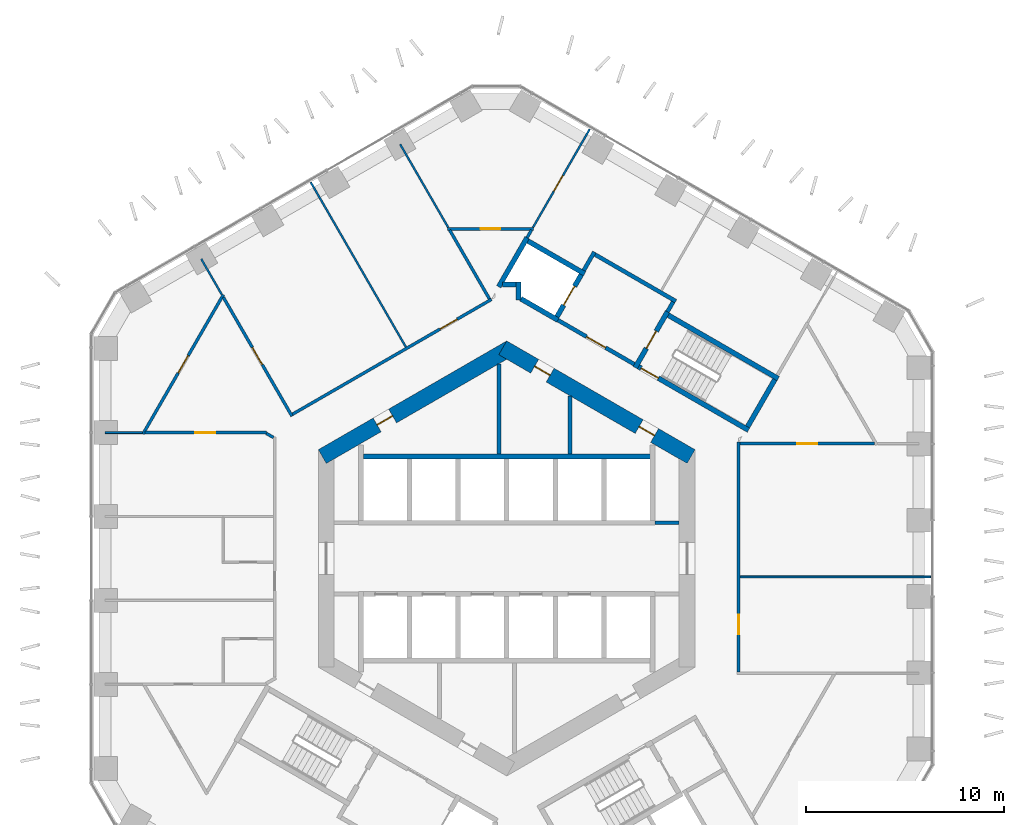
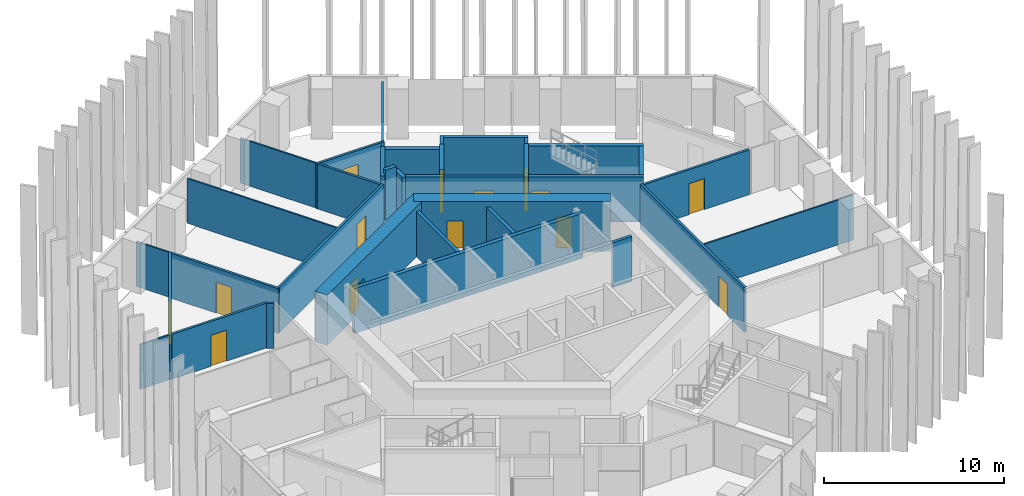
# One storey, part 14 of 19: 36 walls, 15 doors, 15 openings.
"""IFC4 building model written with IfcOpenShell, lengths in metres."""

import ifcopenshell
import ifcopenshell.guid

model = None  # the IFC model being written
_history = None  # IfcOwnerHistory: only IFC2X3 demands one
_inside = {}  # id of a spatial element -> (the spatial element, [elements in it])
_under = {}  # id of a project, library or spatial element -> (it, [spatial elements below it])
_declared = {}  # id of a project -> (the project, [libraries it declares])
_typed = {}  # id of a type object -> (the type object, [elements of that type])
_made_of = {}  # id of a material, layer set ... -> (it, [elements and type objects made of it])


def new_model(schema):
    """Start an empty IFC model of exactly this schema.

    Asked for "IFC4X3", IfcOpenShell would pick the latest addendum, in which some entities
    have other attributes; the version numbers below select the first issue.
    IFC2X3 requires an IfcOwnerHistory on every rooted entity: one is made here for all.
    """
    global model, _history
    if schema == "IFC4X3":
        model = ifcopenshell.file(schema_version=(4, 3, 0, 0))
    else:
        model = ifcopenshell.file(schema=schema)
    _inside.clear()
    _under.clear()
    _declared.clear()
    _typed.clear()
    _made_of.clear()
    _history = None
    if model.schema == "IFC2X3":
        org = make("IfcOrganization", Name="unknown")
        user = make(
            "IfcPersonAndOrganization",
            ThePerson=make("IfcPerson", FamilyName="unknown"),
            TheOrganization=org,
        )
        app = make(
            "IfcApplication",
            ApplicationDeveloper=org,
            Version="unknown",
            ApplicationFullName="unknown",
            ApplicationIdentifier="unknown",
        )
        _history = make(
            "IfcOwnerHistory",
            OwningUser=user,
            OwningApplication=app,
            ChangeAction="ADDED",
            CreationDate=0,
        )
    return model


def make(cls, **values):
    """One entity of the class cls with the attributes given. An attribute that is None is left unset."""
    return model.create_entity(
        cls, **{name: value for name, value in values.items() if value is not None}
    )


def rooted(cls, **values):
    """An entity with a GlobalId (a new one), such as an element, a storey or a relation."""
    return make(cls, GlobalId=ifcopenshell.guid.new(), OwnerHistory=_history, **values)


def si_unit(unit_type, name, prefix=None):
    """IfcSIUnit, for example si_unit("LENGTHUNIT", "METRE", prefix="MILLI")."""
    return make("IfcSIUnit", UnitType=unit_type, Prefix=prefix, Name=name)


def assignment(units):
    """IfcUnitAssignment: the units of a project."""
    return None if units is None else make("IfcUnitAssignment", Units=units)


def point(xyz):
    """IfcCartesianPoint."""
    return None if xyz is None else make("IfcCartesianPoint", Coordinates=xyz)


def direction(xyz):
    """IfcDirection."""
    return None if xyz is None else make("IfcDirection", DirectionRatios=xyz)


def frame(location, z_axis=None, x_axis=None):
    """IfcAxis2Placement3D, a coordinate frame: its origin and axes. An axis left out is left unset."""
    return make(
        "IfcAxis2Placement3D",
        Location=point(location),
        Axis=direction(z_axis),
        RefDirection=direction(x_axis),
    )


def frame_2d(location, x_axis=None):
    """IfcAxis2Placement2D, a coordinate frame in the plane: its origin and x axis."""
    return make(
        "IfcAxis2Placement2D", Location=point(location), RefDirection=direction(x_axis)
    )


def origin():
    """The frame at (0, 0, 0) with its axes left unset."""
    return frame((0.0, 0.0, 0.0))


def place(relative_to, where):
    """IfcLocalPlacement: puts the frame where relative to a parent placement (None: the world)."""
    return make(
        "IfcLocalPlacement", PlacementRelTo=relative_to, RelativePlacement=where
    )


def context(
    kind, dimensions, precision=None, world=None, true_north=None, identifier=None
):
    """IfcGeometricRepresentationContext, for example the 3D "Model" context."""
    return make(
        "IfcGeometricRepresentationContext",
        ContextIdentifier=identifier,
        ContextType=kind,
        CoordinateSpaceDimension=dimensions,
        Precision=precision,
        WorldCoordinateSystem=world,
        TrueNorth=true_north,
    )


def subcontext(parent, identifier, kind, view, scale=None):
    """IfcGeometricRepresentationSubContext, for example "Body" below "Model"."""
    return make(
        "IfcGeometricRepresentationSubContext",
        ContextIdentifier=identifier,
        ContextType=kind,
        ParentContext=parent,
        TargetScale=scale,
        TargetView=view,
    )


def project(units=None, contexts=None):
    """IfcProject with its units and contexts."""
    return rooted(
        "IfcProject",
        Name="project",
        RepresentationContexts=contexts,
        UnitsInContext=assignment(units),
    )


def spatial(cls, under=None, at=None, **own):
    """A site, building, storey or space (cls), placed at a placement, below another one or the project."""
    s = rooted(cls, ObjectPlacement=at, **own)
    if under is not None:
        _under.setdefault(under.id(), (under, []))[1].append(s)
    return s


def profile(cls, at=None, kind="AREA", **sizes):
    """A parametric profile (cls). Its sizes go by their IFC names, for example OverallWidth=200.0."""
    return make(cls, ProfileType=kind, Position=at, **sizes)


def rectangle(**sizes):
    """IfcRectangleProfileDef."""
    return profile("IfcRectangleProfileDef", **sizes)


def extrude(swept, where, along, depth):
    """IfcExtrudedAreaSolid: the profile swept, set in the frame where, extruded along a direction by depth."""
    return make(
        "IfcExtrudedAreaSolid",
        SweptArea=swept,
        Position=where,
        ExtrudedDirection=direction(along),
        Depth=depth,
    )


def shape(context_of_items, identifier, shape_type, items):
    """IfcShapeRepresentation: the items that make up one representation, for example the "Body"."""
    return make(
        "IfcShapeRepresentation",
        ContextOfItems=context_of_items,
        RepresentationIdentifier=identifier,
        RepresentationType=shape_type,
        Items=items,
    )


def material(Name=None, Category=None):
    """IfcMaterial."""
    return make("IfcMaterial", Name=Name, Category=Category)


def layer(
    of_material, thickness, ventilated=None, Name=None, Category=None, Priority=None
):
    """IfcMaterialLayer: one layer of a wall or slab, of a material (None: an air gap)."""
    return make(
        "IfcMaterialLayer",
        Material=of_material,
        LayerThickness=thickness,
        IsVentilated=ventilated,
        Name=Name,
        Category=Category,
        Priority=Priority,
    )


def layer_set(layers, Name=None):
    """IfcMaterialLayerSet."""
    return make("IfcMaterialLayerSet", MaterialLayers=layers, LayerSetName=Name)


def made_of(thing, what):
    """Note that an element or type object is made of a material, layer set ...; save() writes the relation."""
    if what is not None:
        _made_of.setdefault(what.id(), (what, []))[1].append(thing)
    return thing


def type_object(cls, material=None, **own):
    """A type object (cls), such as IfcWallType, which elements share."""
    return made_of(rooted(cls, **own), material)


def element(
    cls,
    number,
    at=None,
    inside=None,
    cuts=None,
    type_object=None,
    material=None,
    context=None,
    identifier="Body",
    shape_type=None,
    held_by="IfcProductDefinitionShape",
    body=None,
    shapes=None,
    **own,
):
    """One element of the class cls, such as IfcWall. Its Tag is "e" and its number.

    at: its placement. inside: the storey or other place that contains it. cuts: it is an
    opening in that element (IfcRelVoidsElement). A single representation is given by context,
    identifier, shape_type and body (its items); several are given by shapes. held_by: the class
    of the entity that holds the representations. save() writes the other relations.
    """
    e = rooted(cls, Tag="e%d" % number, ObjectPlacement=at, **own)
    if body is not None:
        shapes = [shape(context, identifier, shape_type, body)]
    if shapes is not None:
        e.Representation = make(held_by, Representations=shapes)
    if inside is not None:
        _inside.setdefault(inside.id(), (inside, []))[1].append(e)
    if cuts is not None:
        rooted(
            "IfcRelVoidsElement", RelatingBuildingElement=cuts, RelatedOpeningElement=e
        )
    if type_object is not None:
        _typed.setdefault(type_object.id(), (type_object, []))[1].append(e)
    return made_of(e, material)


def fill(opening, filler):
    """IfcRelFillsElement: the door or window that sits in an opening."""
    return rooted(
        "IfcRelFillsElement",
        RelatingOpeningElement=opening,
        RelatedBuildingElement=filler,
    )


def aggregate(whole, parts):
    """IfcRelAggregates: a whole, such as a stair, and the parts it consists of."""
    return rooted("IfcRelAggregates", RelatingObject=whole, RelatedObjects=parts)


def save(model, path):
    """Write the relations noted so far, then the file.

    IfcRelAggregates (storeys below a building ...), IfcRelContainedInSpatialStructure (elements
    in a storey), IfcRelDefinesByType, IfcRelAssociatesMaterial and IfcRelDeclares: one each for
    every whole, place, type object, material and project.
    """
    for whole, parts in _under.values():
        aggregate(whole, parts)
    for where, things in _inside.values():
        rooted(
            "IfcRelContainedInSpatialStructure",
            RelatedElements=things,
            RelatingStructure=where,
        )
    for kind, things in _typed.values():
        rooted("IfcRelDefinesByType", RelatedObjects=things, RelatingType=kind)
    for what, things in _made_of.values():
        rooted("IfcRelAssociatesMaterial", RelatedObjects=things, RelatingMaterial=what)
    for by, libraries in _declared.values():
        rooted("IfcRelDeclares", RelatingContext=by, RelatedDefinitions=libraries)
    model.write(path)


model = new_model("IFC4")

# Units and contexts
model_context = context("Model", 3, precision=1e-05, world=origin(), true_north=direction((0.0, 1.0)))
body_context = subcontext(model_context, "Body", "Model", "MODEL_VIEW")
ifc_project = project(units=[si_unit("LENGTHUNIT", "METRE"), si_unit("AREAUNIT", "SQUARE_METRE"), si_unit("VOLUMEUNIT", "CUBIC_METRE"), si_unit("PLANEANGLEUNIT", "RADIAN"), si_unit("MASSUNIT", "GRAM", prefix="KILO")], contexts=[model_context])

# Site, building, storey
site_placement = place(None, origin())
site = spatial("IfcSite", under=ifc_project, at=site_placement, CompositionType="ELEMENT")
building_placement = place(site_placement, origin())
building = spatial("IfcBuilding", under=site, at=building_placement, Name="Ayvan Gate Tower", CompositionType="ELEMENT")
storey_placement = place(building_placement, frame((0.0, 0.0, 56.10009765625)))
storey = spatial("IfcBuildingStorey", under=building, at=storey_placement, Name="L14", CompositionType="ELEMENT", Elevation=56.10009765625)

# Wall, openings, doors
ifc_material_1 = material(Name="Concrete C70/85", Category="concrete")
ifc_layer_1 = layer(ifc_material_1, 0.800048828125)
ifc_layer_set_1 = layer_set([ifc_layer_1], Name="Concrete C70/85")
wall_type_1 = type_object("IfcWallType", Name="Core wall 800 C70/85", PredefinedType="SHEAR", material=ifc_layer_set_1)
wall_1_placement = place(storey_placement, frame((9.300048828125, 5.138427734375, 0.0), z_axis=(0.0, 0.0, 1.0), x_axis=(-0.866023993627, 0.500002442456, 0.0)))
wall_1 = element("IfcWall", 1, at=wall_1_placement, inside=storey, type_object=wall_type_1, Name="CORE-L14-1", PredefinedType="SHEAR", context=body_context, shape_type="SweptSolid", body=[
    extrude(rectangle(XDim=10.9697265625, YDim=0.800048828125, at=frame_2d((5.48486328125, 0.0))), origin(), (0.0, 0.0, 1.0), 3.39990234375),
])
opening_1_placement = place(wall_1_placement, frame((8.209716796875, 0.0, 0.0)))
opening_1 = element("IfcOpeningElement", 2, at=opening_1_placement, cuts=wall_1, Name="Opening L14-D39", PredefinedType="OPENING", context=body_context, shape_type="SweptSolid", body=[
    extrude(rectangle(XDim=0.89990234375, YDim=2.10009765625, at=frame_2d((0.449951171875, 1.050048828125))), frame((0.0, 0.409912109375, 0.0), z_axis=(0.0, -1.0, 0.0), x_axis=(1.0, 0.0, 0.0)), (0.0, 0.0, 1.0), 0.820068359375),
])
opening_2_placement = place(wall_1_placement, frame((2.1259765625, 0.0, 0.0)))
opening_2 = element("IfcOpeningElement", 3, at=opening_2_placement, cuts=wall_1, Name="Opening L14-D40", PredefinedType="OPENING", context=body_context, shape_type="SweptSolid", body=[
    extrude(rectangle(XDim=0.89990234375, YDim=2.10009765625, at=frame_2d((0.449951171875, 1.050048828125))), frame((0.0, 0.409912109375, 0.0), z_axis=(0.0, -1.0, 0.0), x_axis=(1.0, 0.0, 0.0)), (0.0, 0.0, 1.0), 0.820068359375),
])
ifc_material_2 = material(Name="Timber door leaf", Category="wood")
door_type_1 = type_object("IfcDoorType", Name="DT-900", OperationType="NOTDEFINED", PredefinedType="DOOR", material=ifc_material_2)
door_1_placement = place(opening_1_placement, origin())
door_1 = element("IfcDoor", 4, at=door_1_placement, inside=storey, type_object=door_type_1, Name="CD-L14-39", OperationType="SINGLE_SWING_LEFT", OverallHeight=2.10009765625, OverallWidth=0.89990234375, PredefinedType="DOOR", context=body_context, shape_type="SweptSolid", body=[
    extrude(rectangle(XDim=0.89990234375, YDim=2.10009765625, at=frame_2d((0.449951171875, 1.050048828125))), frame((0.0, 0.02490234375, 0.0), z_axis=(0.0, -1.0, 0.0), x_axis=(1.0, 0.0, 0.0)), (0.0, 0.0, 1.0), 0.050048828125),
])
fill(opening_1, door_1)
door_2_placement = place(opening_2_placement, origin())
door_2 = element("IfcDoor", 5, at=door_2_placement, inside=storey, type_object=door_type_1, Name="CD-L14-40", OperationType="SINGLE_SWING_RIGHT", OverallHeight=2.10009765625, OverallWidth=0.89990234375, PredefinedType="DOOR", context=body_context, shape_type="SweptSolid", body=[
    extrude(rectangle(XDim=0.89990234375, YDim=2.10009765625, at=frame_2d((0.449951171875, 1.050048828125))), frame((0.0, 0.02490234375, 0.0), z_axis=(0.0, -1.0, 0.0), x_axis=(1.0, 0.0, 0.0)), (0.0, 0.0, 1.0), 0.050048828125),
])
fill(opening_2, door_2)

# Wall, opening, door
wall_2_placement = place(storey_placement, frame((0.199951171875, 10.623291015625, 0.0), z_axis=(0.0, 0.0, 1.0), x_axis=(-0.866023993627, -0.500002442456, 0.0)))
wall_2 = element("IfcWall", 6, at=wall_2_placement, inside=storey, type_object=wall_type_1, Name="CORE-L14-2", PredefinedType="SHEAR", context=body_context, shape_type="SweptSolid", body=[
    extrude(rectangle(XDim=10.9697265625, YDim=0.800048828125, at=frame_2d((5.48486328125, 0.0))), origin(), (0.0, 0.0, 1.0), 3.39990234375),
])
opening_3_placement = place(wall_2_placement, frame((6.877197265625, 0.0, 0.0)))
opening_3 = element("IfcOpeningElement", 7, at=opening_3_placement, cuts=wall_2, Name="Opening L14-D38", PredefinedType="OPENING", context=body_context, shape_type="SweptSolid", body=[
    extrude(rectangle(XDim=0.89990234375, YDim=2.10009765625, at=frame_2d((0.449951171875, 1.050048828125))), frame((0.0, 0.409912109375, 0.0), z_axis=(0.0, -1.0, 0.0), x_axis=(1.0, 0.0, 0.0)), (0.0, 0.0, 1.0), 0.820068359375),
])
door_3_placement = place(opening_3_placement, origin())
door_3 = element("IfcDoor", 8, at=door_3_placement, inside=storey, type_object=door_type_1, Name="CD-L14-38", OperationType="SINGLE_SWING_RIGHT", OverallHeight=2.10009765625, OverallWidth=0.89990234375, PredefinedType="DOOR", context=body_context, shape_type="SweptSolid", body=[
    extrude(rectangle(XDim=0.89990234375, YDim=2.10009765625, at=frame_2d((0.449951171875, 1.050048828125))), frame((0.0, 0.02490234375, 0.0), z_axis=(0.0, -1.0, 0.0), x_axis=(1.0, 0.0, 0.0)), (0.0, 0.0, 1.0), 0.050048828125),
])
fill(opening_3, door_3)

ifc_material_3 = material(Name="Plasterboard on steel stud", Category="steel")
ifc_layer_2 = layer(ifc_material_3, 0.14990234375)
ifc_layer_set_2 = layer_set([ifc_layer_2], Name="Plasterboard on steel stud")
wall_type_2 = type_object("IfcWallType", Name="WT-CORR-150", PredefinedType="PARTITIONING", material=ifc_layer_set_2)
wall_3_placement = place(storey_placement, frame((-18.3447265625, 6.28076171875, 0.0), z_axis=(0.0, 0.0, 1.0), x_axis=(0.499990083853, 0.866031128799, 0.0)))
wall_3 = element("IfcWall", 9, at=wall_3_placement, inside=storey, type_object=wall_type_2, Name="IW-L14-003", PredefinedType="PARTITIONING", context=body_context, shape_type="SweptSolid", body=[
    extrude(rectangle(XDim=8.107177734375, YDim=0.14990234375, at=frame_2d((4.0537109375, 0.0))), origin(), (0.0, 0.0, 1.0), 3.0498046875),
])
opening_4_placement = place(wall_3_placement, frame((3.553466796875, 0.0, 0.0)))
opening_4 = element("IfcOpeningElement", 10, at=opening_4_placement, cuts=wall_3, Name="Opening L14-D23", PredefinedType="OPENING", context=body_context, shape_type="SweptSolid", body=[
    extrude(rectangle(XDim=1.0, YDim=2.10009765625, at=frame_2d((0.5, 1.050048828125))), frame((0.0, 0.0849609375, 0.0), z_axis=(0.0, -1.0, 0.0), x_axis=(1.0, 0.0, 0.0)), (0.0, 0.0, 1.0), 0.169921875),
])
door_type_2 = type_object("IfcDoorType", Name="DT-1000", OperationType="NOTDEFINED", PredefinedType="DOOR", material=ifc_material_2)
door_4_placement = place(opening_4_placement, origin())
door_4 = element("IfcDoor", 11, at=door_4_placement, inside=storey, type_object=door_type_2, Name="ID-L14-023", OperationType="SINGLE_SWING_LEFT", OverallHeight=2.10009765625, OverallWidth=1.0, PredefinedType="DOOR", context=body_context, shape_type="SweptSolid", body=[
    extrude(rectangle(XDim=1.0, YDim=2.10009765625, at=frame_2d((0.5, 1.050048828125))), frame((0.0, 0.02490234375, 0.0), z_axis=(0.0, -1.0, 0.0), x_axis=(1.0, 0.0, 0.0)), (0.0, 0.0, 1.0), 0.050048828125),
])
fill(opening_4, door_4)

wall_4_placement = place(storey_placement, frame((-14.291259765625, 13.171875, 0.0), z_axis=(0.0, 0.0, 1.0), x_axis=(0.499989880739, -0.866031246064, 0.0)))
wall_4 = element("IfcWall", 12, at=wall_4_placement, inside=storey, type_object=wall_type_2, Name="IW-L14-006", PredefinedType="PARTITIONING", context=body_context, shape_type="SweptSolid", body=[
    extrude(rectangle(XDim=6.927978515625, YDim=0.14990234375, at=frame_2d((3.4638671875, 0.0))), origin(), (0.0, 0.0, 1.0), 3.0498046875),
])
opening_5_placement = place(wall_4_placement, frame((2.926513671875, 0.0, 0.0)))
opening_5 = element("IfcOpeningElement", 13, at=opening_5_placement, cuts=wall_4, Name="Opening L14-D37", PredefinedType="OPENING", context=body_context, shape_type="SweptSolid", body=[
    extrude(rectangle(XDim=1.0, YDim=2.10009765625, at=frame_2d((0.5, 1.050048828125))), frame((0.0, 0.0849609375, 0.0), z_axis=(0.0, -1.0, 0.0), x_axis=(1.0, 0.0, 0.0)), (0.0, 0.0, 1.0), 0.169921875),
])
door_5_placement = place(opening_5_placement, origin())
door_5 = element("IfcDoor", 14, at=door_5_placement, inside=storey, type_object=door_type_2, Name="ID-L14-037", OperationType="SINGLE_SWING_LEFT", OverallHeight=2.10009765625, OverallWidth=1.0, PredefinedType="DOOR", context=body_context, shape_type="SweptSolid", body=[
    extrude(rectangle(XDim=1.0, YDim=2.10009765625, at=frame_2d((0.5, 1.050048828125))), frame((0.0, 0.02490234375, 0.0), z_axis=(0.0, -1.0, 0.0), x_axis=(1.0, 0.0, 0.0)), (0.0, 0.0, 1.0), 0.050048828125),
])
fill(opening_5, door_5)

wall_5_placement = place(storey_placement, frame((-12.1162109375, 6.345703125, 0.0), z_axis=(0.0, 0.0, 1.0), x_axis=(-1.0, 0.0, 0.0)))
wall_5 = element("IfcWall", 15, at=wall_5_placement, inside=storey, type_object=wall_type_2, Name="IW-L14-013", PredefinedType="PARTITIONING", context=body_context, shape_type="SweptSolid", body=[
    extrude(rectangle(XDim=6.1162109375, YDim=0.14990234375, at=frame_2d((3.05810546875, 0.0))), origin(), (0.0, 0.0, 1.0), 3.0498046875),
])
opening_6_placement = place(wall_5_placement, frame((2.595703125, 0.0, 0.0)))
opening_6 = element("IfcOpeningElement", 16, at=opening_6_placement, cuts=wall_5, Name="Opening L14-D24", PredefinedType="OPENING", context=body_context, shape_type="SweptSolid", body=[
    extrude(rectangle(XDim=1.0, YDim=2.10009765625, at=frame_2d((0.5, 1.050048828125))), frame((0.0, 0.0849609375, 0.0), z_axis=(0.0, -1.0, 0.0), x_axis=(1.0, 0.0, 0.0)), (0.0, 0.0, 1.0), 0.169921875),
])
door_6_placement = place(opening_6_placement, origin())
door_6 = element("IfcDoor", 17, at=door_6_placement, inside=storey, type_object=door_type_2, Name="ID-L14-024", OperationType="SINGLE_SWING_RIGHT", OverallHeight=2.10009765625, OverallWidth=1.0, PredefinedType="DOOR", context=body_context, shape_type="SweptSolid", body=[
    extrude(rectangle(XDim=1.0, YDim=2.10009765625, at=frame_2d((0.5, 1.050048828125))), frame((0.0, 0.02490234375, 0.0), z_axis=(0.0, -1.0, 0.0), x_axis=(1.0, 0.0, 0.0)), (0.0, 0.0, 1.0), 0.050048828125),
])
fill(opening_6, door_6)

# Wall
wall_6_placement = place(storey_placement, frame((-11.764892578125, 6.099609375, 0.0), z_axis=(0.0, 0.0, 1.0), x_axis=(-0.865893231143, 0.500228859883, 0.0)))
element("IfcWall", 18, at=wall_6_placement, inside=storey, type_object=wall_type_2, Name="IW-L14-019", PredefinedType="PARTITIONING", context=body_context, shape_type="SweptSolid", body=[
    extrude(rectangle(XDim=0.417236328125, YDim=0.14990234375, at=frame_2d((0.20849609375, 0.0))), origin(), (0.0, 0.0, 1.0), 3.0498046875),
])

# Wall, opening, door
wall_7_placement = place(storey_placement, frame((-10.800048828125, 7.274658203125, 0.0), z_axis=(0.0, 0.0, 1.0), x_axis=(0.866027969706, 0.499995555667, 0.0)))
wall_7 = element("IfcWall", 19, at=wall_7_placement, inside=storey, type_object=wall_type_2, Name="IW-L14-020", PredefinedType="PARTITIONING", context=body_context, shape_type="SweptSolid", body=[
    extrude(rectangle(XDim=11.58154296875, YDim=0.14990234375, at=frame_2d((5.790771484375, 0.0))), origin(), (0.0, 0.0, 1.0), 3.0498046875),
])
opening_7_placement = place(wall_7_placement, frame((8.58935546875, 0.0, 0.0)))
opening_7 = element("IfcOpeningElement", 20, at=opening_7_placement, cuts=wall_7, Name="Opening L14-D36", PredefinedType="OPENING", context=body_context, shape_type="SweptSolid", body=[
    extrude(rectangle(XDim=1.0, YDim=2.10009765625, at=frame_2d((0.5, 1.050048828125))), frame((0.0, 0.0849609375, 0.0), z_axis=(0.0, -1.0, 0.0), x_axis=(1.0, 0.0, 0.0)), (0.0, 0.0, 1.0), 0.169921875),
])
door_7_placement = place(opening_7_placement, origin())
door_7 = element("IfcDoor", 21, at=door_7_placement, inside=storey, type_object=door_type_2, Name="ID-L14-036", OperationType="SINGLE_SWING_RIGHT", OverallHeight=2.10009765625, OverallWidth=1.0, PredefinedType="DOOR", context=body_context, shape_type="SweptSolid", body=[
    extrude(rectangle(XDim=1.0, YDim=2.10009765625, at=frame_2d((0.5, 1.050048828125))), frame((0.0, 0.02490234375, 0.0), z_axis=(0.0, -1.0, 0.0), x_axis=(1.0, 0.0, 0.0)), (0.0, 0.0, 1.0), 0.050048828125),
])
fill(opening_7, door_7)

wall_8_placement = place(storey_placement, frame((-2.98828125, 16.62744140625, 0.0), z_axis=(0.0, 0.0, 1.0), x_axis=(1.0, 0.0, 0.0)))
wall_8 = element("IfcWall", 22, at=wall_8_placement, inside=storey, type_object=wall_type_2, Name="IW-L14-048", PredefinedType="PARTITIONING", context=body_context, shape_type="SweptSolid", body=[
    extrude(rectangle(XDim=4.349365234375, YDim=0.14990234375, at=frame_2d((2.1748046875, 0.0))), origin(), (0.0, 0.0, 1.0), 3.0498046875),
])
opening_8_placement = place(wall_8_placement, frame((1.6748046875, 0.0, 0.0)))
opening_8 = element("IfcOpeningElement", 23, at=opening_8_placement, cuts=wall_8, Name="Opening L14-D21", PredefinedType="OPENING", context=body_context, shape_type="SweptSolid", body=[
    extrude(rectangle(XDim=1.0, YDim=2.10009765625, at=frame_2d((0.5, 1.050048828125))), frame((0.0, 0.0849609375, 0.0), z_axis=(0.0, -1.0, 0.0), x_axis=(1.0, 0.0, 0.0)), (0.0, 0.0, 1.0), 0.169921875),
])
door_8_placement = place(opening_8_placement, origin())
door_8 = element("IfcDoor", 24, at=door_8_placement, inside=storey, type_object=door_type_2, Name="ID-L14-021", OperationType="SINGLE_SWING_LEFT", OverallHeight=2.10009765625, OverallWidth=1.0, PredefinedType="DOOR", context=body_context, shape_type="SweptSolid", body=[
    extrude(rectangle(XDim=1.0, YDim=2.10009765625, at=frame_2d((0.5, 1.050048828125))), frame((0.0, 0.02490234375, 0.0), z_axis=(0.0, -1.0, 0.0), x_axis=(1.0, 0.0, 0.0)), (0.0, 0.0, 1.0), 0.050048828125),
])
fill(opening_8, door_8)

# Walls
wall_9_placement = place(storey_placement, frame((-0.87255859375, 13.0927734375, 0.0), z_axis=(0.0, 0.0, 1.0), x_axis=(-0.500031897912, 0.866006986733, 0.0)))
element("IfcWall", 25, at=wall_9_placement, inside=storey, type_object=wall_type_2, Name="IW-L14-054", PredefinedType="PARTITIONING", context=body_context, shape_type="SweptSolid", body=[
    extrude(rectangle(XDim=4.006591796875, YDim=0.14990234375, at=frame_2d((2.00341796875, 0.0))), origin(), (0.0, 0.0, 1.0), 3.0498046875),
])
wall_10_placement = place(storey_placement, frame((1.24853515625, 16.5625, 0.0), z_axis=(0.0, 0.0, 1.0), x_axis=(-0.49999285859, -0.86602952684, 0.0)))
element("IfcWall", 26, at=wall_10_placement, inside=storey, type_object=wall_type_2, Name="IW-L14-065", PredefinedType="PARTITIONING", context=body_context, shape_type="SweptSolid", body=[
    extrude(rectangle(XDim=0.44287109375, YDim=0.14990234375, at=frame_2d((0.221435546875, 0.0))), origin(), (0.0, 0.0, 1.0), 3.0498046875),
])

# Wall, opening, door
wall_11_placement = place(storey_placement, frame((11.699951171875, -5.7158203125, 0.0), z_axis=(0.0, 0.0, 1.0), x_axis=(0.0, 1.0, 0.0)))
wall_11 = element("IfcWall", 27, at=wall_11_placement, inside=storey, type_object=wall_type_2, Name="IW-L14-101", PredefinedType="PARTITIONING", context=body_context, shape_type="SweptSolid", body=[
    extrude(rectangle(XDim=11.58154296875, YDim=0.14990234375, at=frame_2d((5.790771484375, 0.0))), origin(), (0.0, 0.0, 1.0), 3.0498046875),
])
opening_9_placement = place(wall_11_placement, frame((1.879638671875, 0.0, 0.0)))
opening_9 = element("IfcOpeningElement", 28, at=opening_9_placement, cuts=wall_11, Name="Opening L14-D17", PredefinedType="OPENING", context=body_context, shape_type="SweptSolid", body=[
    extrude(rectangle(XDim=1.0, YDim=2.10009765625, at=frame_2d((0.5, 1.050048828125))), frame((0.0, 0.0849609375, 0.0), z_axis=(0.0, -1.0, 0.0), x_axis=(1.0, 0.0, 0.0)), (0.0, 0.0, 1.0), 0.169921875),
])
door_9_placement = place(opening_9_placement, origin())
door_9 = element("IfcDoor", 29, at=door_9_placement, inside=storey, type_object=door_type_2, Name="ID-L14-017", OperationType="SINGLE_SWING_LEFT", OverallHeight=2.10009765625, OverallWidth=1.0, PredefinedType="DOOR", context=body_context, shape_type="SweptSolid", body=[
    extrude(rectangle(XDim=1.0, YDim=2.10009765625, at=frame_2d((0.5, 1.050048828125))), frame((0.0, 0.02490234375, 0.0), z_axis=(0.0, -1.0, 0.0), x_axis=(1.0, 0.0, 0.0)), (0.0, 0.0, 1.0), 0.050048828125),
])
fill(opening_9, door_9)

wall_12_placement = place(storey_placement, frame((18.552734375, 5.790771484375, 0.0), z_axis=(0.0, 0.0, 1.0), x_axis=(-1.0, 0.0, 0.0)))
wall_12 = element("IfcWall", 30, at=wall_12_placement, inside=storey, type_object=wall_type_2, Name="IW-L14-112", PredefinedType="PARTITIONING", context=body_context, shape_type="SweptSolid", body=[
    extrude(rectangle(XDim=6.77783203125, YDim=0.14990234375, at=frame_2d((3.388916015625, 0.0))), origin(), (0.0, 0.0, 1.0), 3.0498046875),
])
opening_10_placement = place(wall_12_placement, frame((2.888916015625, 0.0, 0.0)))
opening_10 = element("IfcOpeningElement", 31, at=opening_10_placement, cuts=wall_12, Name="Opening L14-D18", PredefinedType="OPENING", context=body_context, shape_type="SweptSolid", body=[
    extrude(rectangle(XDim=1.0, YDim=2.10009765625, at=frame_2d((0.5, 1.050048828125))), frame((0.0, 0.0849609375, 0.0), z_axis=(0.0, -1.0, 0.0), x_axis=(1.0, 0.0, 0.0)), (0.0, 0.0, 1.0), 0.169921875),
])
door_10_placement = place(opening_10_placement, origin())
door_10 = element("IfcDoor", 32, at=door_10_placement, inside=storey, type_object=door_type_2, Name="ID-L14-018", OperationType="SINGLE_SWING_RIGHT", OverallHeight=2.10009765625, OverallWidth=1.0, PredefinedType="DOOR", context=body_context, shape_type="SweptSolid", body=[
    extrude(rectangle(XDim=1.0, YDim=2.10009765625, at=frame_2d((0.5, 1.050048828125))), frame((0.0, 0.02490234375, 0.0), z_axis=(0.0, -1.0, 0.0), x_axis=(1.0, 0.0, 0.0)), (0.0, 0.0, 1.0), 0.050048828125),
])
fill(opening_10, door_10)

# Walls
ifc_layer_3 = layer(ifc_material_3, 0.10009765625)
ifc_layer_set_3 = layer_set([ifc_layer_3], Name="Plasterboard on steel stud")
wall_type_3 = type_object("IfcWallType", Name="WT-PART-100", PredefinedType="PARTITIONING", material=ifc_layer_set_3)
wall_13_placement = place(storey_placement, frame((-18.38232421875, 6.345703125, 0.0), z_axis=(0.0, 0.0, 1.0), x_axis=(-1.0, 0.0, 0.0)))
element("IfcWall", 33, at=wall_13_placement, inside=storey, type_object=wall_type_3, Name="IW-L14-002", PredefinedType="PARTITIONING", context=body_context, shape_type="SweptSolid", body=[
    extrude(rectangle(XDim=1.8681640625, YDim=0.10009765625, at=frame_2d((0.93408203125, 0.0))), origin(), (0.0, 0.0, 1.0), 3.0498046875),
])
wall_14_placement = place(storey_placement, frame((-15.4072265625, 15.1044921875, 0.0), z_axis=(0.0, 0.0, 1.0), x_axis=(0.500074377092, -0.865982457891, 0.0)))
element("IfcWall", 34, at=wall_14_placement, inside=storey, type_object=wall_type_3, Name="IW-L14-004", PredefinedType="PARTITIONING", context=body_context, shape_type="SweptSolid", body=[
    extrude(rectangle(XDim=2.081787109375, YDim=0.10009765625, at=frame_2d((1.041015625, 0.0))), origin(), (0.0, 0.0, 1.0), 3.0498046875),
])
wall_15_placement = place(storey_placement, frame((-5.085205078125, 10.66064453125, 0.0), z_axis=(0.0, 0.0, 1.0), x_axis=(-0.49998793222, 0.866032371008, 0.0)))
element("IfcWall", 35, at=wall_15_placement, inside=storey, type_object=wall_type_3, Name="IW-L14-036", PredefinedType="PARTITIONING", context=body_context, shape_type="SweptSolid", body=[
    extrude(rectangle(XDim=9.605712890625, YDim=0.10009765625, at=frame_2d((4.802734375, 0.0))), origin(), (0.0, 0.0, 1.0), 3.0498046875),
])
wall_16_placement = place(storey_placement, frame((-2.950927734375, 16.6923828125, 0.0), z_axis=(0.0, 0.0, 1.0), x_axis=(-0.499975014836, 0.866039828495, 0.0)))
element("IfcWall", 36, at=wall_16_placement, inside=storey, type_object=wall_type_3, Name="IW-L14-047", PredefinedType="PARTITIONING", context=body_context, shape_type="SweptSolid", body=[
    extrude(rectangle(XDim=4.853271484375, YDim=0.10009765625, at=frame_2d((2.4267578125, 0.0))), origin(), (0.0, 0.0, 1.0), 3.0498046875),
])

# Wall, opening, door
wall_17_placement = place(storey_placement, frame((4.18798828125, 21.653564453125, 0.0), z_axis=(0.0, 0.0, 1.0), x_axis=(-0.500021260655, -0.866013128592, 0.0)))
wall_17 = element("IfcWall", 37, at=wall_17_placement, inside=storey, type_object=wall_type_3, Name="IW-L14-077", PredefinedType="PARTITIONING", context=body_context, shape_type="SweptSolid", body=[
    extrude(rectangle(XDim=5.728759765625, YDim=0.10009765625, at=frame_2d((2.8642578125, 0.0))), origin(), (0.0, 0.0, 1.0), 3.0498046875),
])
opening_11_placement = place(wall_17_placement, frame((2.71240234375, 0.0, 0.0)))
opening_11 = element("IfcOpeningElement", 38, at=opening_11_placement, cuts=wall_17, Name="Opening L14-D22", PredefinedType="OPENING", context=body_context, shape_type="SweptSolid", body=[
    extrude(rectangle(XDim=0.89990234375, YDim=2.10009765625, at=frame_2d((0.449951171875, 1.050048828125))), frame((0.0, 0.06005859375, 0.0), z_axis=(0.0, -1.0, 0.0), x_axis=(1.0, 0.0, 0.0)), (0.0, 0.0, 1.0), 0.1201171875),
])
door_11_placement = place(opening_11_placement, origin())
door_11 = element("IfcDoor", 39, at=door_11_placement, inside=storey, type_object=door_type_1, Name="ID-L14-022", OperationType="SINGLE_SWING_RIGHT", OverallHeight=2.10009765625, OverallWidth=0.89990234375, PredefinedType="DOOR", context=body_context, shape_type="SweptSolid", body=[
    extrude(rectangle(XDim=0.89990234375, YDim=2.10009765625, at=frame_2d((0.449951171875, 1.050048828125))), frame((0.0, 0.02490234375, 0.0), z_axis=(0.0, -1.0, 0.0), x_axis=(1.0, 0.0, 0.0)), (0.0, 0.0, 1.0), 0.050048828125),
])
fill(opening_11, door_11)

# Walls
wall_18_placement = place(storey_placement, frame((11.77490234375, -0.926513671875, 0.0), z_axis=(0.0, 0.0, 1.0), x_axis=(1.0, 0.0, 0.0)))
element("IfcWall", 40, at=wall_18_placement, inside=storey, type_object=wall_type_3, Name="IW-L14-102", PredefinedType="PARTITIONING", context=body_context, shape_type="SweptSolid", body=[
    extrude(rectangle(XDim=9.605712890625, YDim=0.10009765625, at=frame_2d((4.802734375, 0.0))), origin(), (0.0, 0.0, 1.0), 3.0498046875),
])
ifc_layer_4 = layer(ifc_material_3, 0.199951171875)
ifc_layer_set_4 = layer_set([ifc_layer_4], Name="Plasterboard on steel stud")
wall_type_4 = type_object("IfcWallType", Name="WT-RATED-200", PredefinedType="PARTITIONING", material=ifc_layer_set_4)
wall_19_placement = place(storey_placement, frame((-0.39990234375, 9.81494140625, 0.0), z_axis=(0.0, 0.0, 1.0), x_axis=(0.0, -1.0, 0.0)))
element("IfcWall", 41, at=wall_19_placement, inside=storey, type_object=wall_type_4, Name="IW-L14-057", PredefinedType="PARTITIONING", context=body_context, shape_type="SweptSolid", body=[
    extrude(rectangle(XDim=4.5400390625, YDim=0.199951171875, at=frame_2d((2.27001953125, 0.0))), origin(), (0.0, 0.0, 1.0), 3.0498046875),
])
wall_20_placement = place(storey_placement, frame((3.199951171875, 8.198486328125, 0.0), z_axis=(0.0, 0.0, 1.0), x_axis=(0.0, -1.0, 0.0)))
element("IfcWall", 42, at=wall_20_placement, inside=storey, type_object=wall_type_4, Name="IW-L14-073", PredefinedType="PARTITIONING", context=body_context, shape_type="SweptSolid", body=[
    extrude(rectangle(XDim=2.923583984375, YDim=0.199951171875, at=frame_2d((1.4619140625, 0.0))), origin(), (0.0, 0.0, 1.0), 3.0498046875),
])
wall_21_placement = place(storey_placement, frame((3.885009765625, 14.52880859375, 0.0), z_axis=(0.0, 0.0, 1.0), x_axis=(0.499997628298, 0.866026773083, 0.0)))
element("IfcWall", 43, at=wall_21_placement, inside=storey, type_object=wall_type_4, Name="IW-L14-076", PredefinedType="PARTITIONING", context=body_context, shape_type="SweptSolid", body=[
    extrude(rectangle(XDim=1.0751953125, YDim=0.199951171875, at=frame_2d((0.53759765625, 0.0))), origin(), (0.0, 0.0, 1.0), 3.0498046875),
])
wall_22_placement = place(storey_placement, frame((4.458984375, 15.323486328125, 0.0), z_axis=(0.0, 0.0, 1.0), x_axis=(0.866016039709, -0.500016218704, 0.0)))
element("IfcWall", 44, at=wall_22_placement, inside=storey, type_object=wall_type_4, Name="IW-L14-078", PredefinedType="PARTITIONING", context=body_context, shape_type="SweptSolid", body=[
    extrude(rectangle(XDim=4.699951171875, YDim=0.199951171875, at=frame_2d((2.35009765625, 0.0))), origin(), (0.0, 0.0, 1.0), 3.0498046875),
])

# Wall, opening, door
wall_23_placement = place(storey_placement, frame((6.4345703125, 9.794921875, 0.0), z_axis=(0.0, 0.0, 1.0), x_axis=(-0.866012907634, 0.500021643343, 0.0)))
wall_23 = element("IfcWall", 45, at=wall_23_placement, inside=storey, type_object=wall_type_4, Name="IW-L14-081", PredefinedType="PARTITIONING", context=body_context, shape_type="SweptSolid", body=[
    extrude(rectangle(XDim=4.449951171875, YDim=0.199951171875, at=frame_2d((2.22509765625, 0.0))), origin(), (0.0, 0.0, 1.0), 3.0498046875),
])
opening_12_placement = place(wall_23_placement, frame((1.675048828125, 0.0, 0.0)))
opening_12 = element("IfcOpeningElement", 46, at=opening_12_placement, cuts=wall_23, Name="Opening L14-D08", PredefinedType="OPENING", context=body_context, shape_type="SweptSolid", body=[
    extrude(rectangle(XDim=1.10009765625, YDim=2.10009765625, at=frame_2d((0.550048828125, 1.050048828125))), frame((0.0, 0.10986328125, 0.0), z_axis=(0.0, -1.0, 0.0), x_axis=(1.0, 0.0, 0.0)), (0.0, 0.0, 1.0), 0.219970703125),
])
door_type_3 = type_object("IfcDoorType", Name="DT-1100", OperationType="NOTDEFINED", PredefinedType="DOOR", material=ifc_material_2)
door_12_placement = place(opening_12_placement, origin())
door_12 = element("IfcDoor", 47, at=door_12_placement, inside=storey, type_object=door_type_3, Name="ID-L14-008", OperationType="SINGLE_SWING_RIGHT", OverallHeight=2.10009765625, OverallWidth=1.10009765625, PredefinedType="DOOR", context=body_context, shape_type="SweptSolid", body=[
    extrude(rectangle(XDim=1.10009765625, YDim=2.10009765625, at=frame_2d((0.550048828125, 1.050048828125))), frame((0.0, 0.02490234375, 0.0), z_axis=(0.0, -1.0, 0.0), x_axis=(1.0, 0.0, 0.0)), (0.0, 0.0, 1.0), 0.050048828125),
])
fill(opening_12, door_12)

# Walls
wall_24_placement = place(storey_placement, frame((7.474853515625, 1.800048828125, 0.0), z_axis=(0.0, 0.0, 1.0), x_axis=(1.0, 0.0, 0.0)))
element("IfcWall", 48, at=wall_24_placement, inside=storey, type_object=wall_type_4, Name="IW-L14-086", PredefinedType="PARTITIONING", context=body_context, shape_type="SweptSolid", body=[
    extrude(rectangle(XDim=1.22509765625, YDim=0.199951171875, at=frame_2d((0.612548828125, 0.0))), origin(), (0.0, 0.0, 1.0), 3.0498046875),
])
wall_25_placement = place(storey_placement, frame((8.392822265625, 12.936767578125, 0.0), z_axis=(0.0, 0.0, 1.0), x_axis=(-0.500065409566, -0.86598763626, 0.0)))
element("IfcWall", 49, at=wall_25_placement, inside=storey, type_object=wall_type_4, Name="IW-L14-091", PredefinedType="PARTITIONING", context=body_context, shape_type="SweptSolid", body=[
    extrude(rectangle(XDim=0.5751953125, YDim=0.199951171875, at=frame_2d((0.28759765625, 0.0))), origin(), (0.0, 0.0, 1.0), 3.0498046875),
])
ifc_material_4 = material(Name="Concrete C50/60", Category="concrete")
ifc_layer_5 = layer(ifc_material_4, 0.25)
ifc_layer_set_5 = layer_set([ifc_layer_5], Name="Concrete C50/60")
wall_type_5 = type_object("IfcWallType", Name="WT-RC-250", PredefinedType="SHEAR", material=ifc_layer_set_5)
wall_26_placement = place(storey_placement, frame((-7.22509765625, 5.14990234375, 0.0), z_axis=(0.0, 0.0, 1.0), x_axis=(1.0, 0.0, 0.0)))
element("IfcWall", 50, at=wall_26_placement, inside=storey, type_object=wall_type_5, Name="IW-L14-030", PredefinedType="SHEAR", context=body_context, shape_type="SweptSolid", body=[
    extrude(rectangle(XDim=14.7001953125, YDim=0.25, at=frame_2d((7.35009765625, 0.0))), origin(), (0.0, 0.0, 1.0), 3.0498046875),
])
wall_27_placement = place(storey_placement, frame((-0.403076171875, 13.70166015625, 0.0), z_axis=(0.0, 0.0, 1.0), x_axis=(0.499976111731, 0.866039195244, 0.0)))
element("IfcWall", 51, at=wall_27_placement, inside=storey, type_object=wall_type_5, Name="IW-L14-058", PredefinedType="SHEAR", context=body_context, shape_type="SweptSolid", body=[
    extrude(rectangle(XDim=2.860595703125, YDim=0.25, at=frame_2d((1.43017578125, 0.0))), origin(), (0.0, 0.0, 1.0), 3.0498046875),
])
wall_28_placement = place(storey_placement, frame((0.60009765625, 13.03857421875, 0.0), z_axis=(0.0, 0.0, 1.0), x_axis=(0.0, 1.0, 0.0)))
element("IfcWall", 52, at=wall_28_placement, inside=storey, type_object=wall_type_5, Name="IW-L14-062", PredefinedType="SHEAR", context=body_context, shape_type="SweptSolid", body=[
    extrude(rectangle(XDim=0.896484375, YDim=0.25, at=frame_2d((0.4482421875, 0.0))), origin(), (0.0, 0.0, 1.0), 3.0498046875),
])
wall_29_placement = place(storey_placement, frame((0.47509765625, 13.81005859375, 0.0), z_axis=(0.0, 0.0, 1.0), x_axis=(-1.0, 0.0, 0.0)))
element("IfcWall", 53, at=wall_29_placement, inside=storey, type_object=wall_type_5, Name="IW-L14-063", PredefinedType="SHEAR", context=body_context, shape_type="SweptSolid", body=[
    extrude(rectangle(XDim=0.690673828125, YDim=0.25, at=frame_2d((0.34521484375, 0.0))), origin(), (0.0, 0.0, 1.0), 3.39990234375),
])
wall_30_placement = place(storey_placement, frame((1.072998046875, 16.00830078125, 0.0), z_axis=(0.0, 0.0, 1.0), x_axis=(0.866040211805, -0.499974350878, 0.0)))
element("IfcWall", 54, at=wall_30_placement, inside=storey, type_object=wall_type_5, Name="IW-L14-064", PredefinedType="SHEAR", context=body_context, shape_type="SweptSolid", body=[
    extrude(rectangle(XDim=3.300048828125, YDim=0.25, at=frame_2d((1.64990234375, 0.0))), origin(), (0.0, 0.0, 1.0), 3.0498046875),
])
wall_31_placement = place(storey_placement, frame((2.580810546875, 12.02001953125, 0.0), z_axis=(0.0, 0.0, 1.0), x_axis=(-0.86603892542, 0.499976579108, 0.0)))
element("IfcWall", 55, at=wall_31_placement, inside=storey, type_object=wall_type_5, Name="IW-L14-069", PredefinedType="SHEAR", context=body_context, shape_type="SweptSolid", body=[
    extrude(rectangle(XDim=2.162109375, YDim=0.25, at=frame_2d((1.0810546875, 0.0))), origin(), (0.0, 0.0, 1.0), 3.0498046875),
])

# Wall, opening, door
wall_32_placement = place(storey_placement, frame((2.534912109375, 12.19091796875, 0.0), z_axis=(0.0, 0.0, 1.0), x_axis=(0.500061746146, 0.865989751695, 0.0)))
wall_32 = element("IfcWall", 56, at=wall_32_placement, inside=storey, type_object=wall_type_5, Name="IW-L14-070", PredefinedType="SHEAR", context=body_context, shape_type="SweptSolid", body=[
    extrude(rectangle(XDim=2.449951171875, YDim=0.25, at=frame_2d((1.22509765625, 0.0))), origin(), (0.0, 0.0, 1.0), 3.39990234375),
])
opening_13_placement = place(wall_32_placement, frame((0.675048828125, 0.0, 0.0)))
opening_13 = element("IfcOpeningElement", 57, at=opening_13_placement, cuts=wall_32, Name="Opening L14-LD-FF1", PredefinedType="OPENING", context=body_context, shape_type="SweptSolid", body=[
    extrude(rectangle(XDim=1.10009765625, YDim=2.10009765625, at=frame_2d((0.550048828125, 1.050048828125))), frame((0.0, 0.135009765625, 0.0), z_axis=(0.0, -1.0, 0.0), x_axis=(1.0, 0.0, 0.0)), (0.0, 0.0, 1.0), 0.27001953125),
])
ifc_material_5 = material(Name="Stainless steel landing door", Category="steel")
door_type_4 = type_object("IfcDoorType", Name="DT-LANDING-1100", OperationType="SLIDING_TO_LEFT", PredefinedType="DOOR", material=ifc_material_5)
door_13_placement = place(opening_13_placement, origin())
door_13 = element("IfcDoor", 58, at=door_13_placement, inside=storey, type_object=door_type_4, Name="ID-L14-009", OperationType="SLIDING_TO_LEFT", OverallHeight=2.10009765625, OverallWidth=1.10009765625, PredefinedType="DOOR", context=body_context, shape_type="SweptSolid", body=[
    extrude(rectangle(XDim=1.10009765625, YDim=2.10009765625, at=frame_2d((0.550048828125, 1.050048828125))), frame((0.0, 0.02490234375, 0.0), z_axis=(0.0, -1.0, 0.0), x_axis=(1.0, 0.0, 0.0)), (0.0, 0.0, 1.0), 0.050048828125),
])
fill(opening_13, door_13)

wall_33_placement = place(storey_placement, frame((6.480224609375, 9.624267578125, 0.0), z_axis=(0.0, 0.0, 1.0), x_axis=(0.500017246033, 0.866015446554, 0.0)))
wall_33 = element("IfcWall", 59, at=wall_33_placement, inside=storey, type_object=wall_type_5, Name="IW-L14-082", PredefinedType="SHEAR", context=body_context, shape_type="SweptSolid", body=[
    extrude(rectangle(XDim=3.25, YDim=0.25, at=frame_2d((1.625, 0.0))), origin(), (0.0, 0.0, 1.0), 3.0498046875),
])
opening_14_placement = place(wall_33_placement, frame((1.125, 0.0, 0.0)))
opening_14 = element("IfcOpeningElement", 60, at=opening_14_placement, cuts=wall_33, Name="Opening L14-D07", PredefinedType="OPENING", context=body_context, shape_type="SweptSolid", body=[
    extrude(rectangle(XDim=1.0, YDim=2.10009765625, at=frame_2d((0.5, 1.050048828125))), frame((0.0, 0.135009765625, 0.0), z_axis=(0.0, -1.0, 0.0), x_axis=(1.0, 0.0, 0.0)), (0.0, 0.0, 1.0), 0.27001953125),
])
door_14_placement = place(opening_14_placement, origin())
door_14 = element("IfcDoor", 61, at=door_14_placement, inside=storey, type_object=door_type_2, Name="ID-L14-007", OperationType="SINGLE_SWING_LEFT", OverallHeight=2.10009765625, OverallWidth=1.0, PredefinedType="DOOR", context=body_context, shape_type="SweptSolid", body=[
    extrude(rectangle(XDim=1.0, YDim=2.10009765625, at=frame_2d((0.5, 1.050048828125))), frame((0.0, 0.02490234375, 0.0), z_axis=(0.0, -1.0, 0.0), x_axis=(1.0, 0.0, 0.0)), (0.0, 0.0, 1.0), 0.050048828125),
])
fill(opening_14, door_14)

# Wall
wall_34_placement = place(storey_placement, frame((8.151123046875, 12.26806640625, 0.0), z_axis=(0.0, 0.0, 1.0), x_axis=(0.866025499775, -0.499999833739, 0.0)))
element("IfcWall", 62, at=wall_34_placement, inside=storey, type_object=wall_type_5, Name="IW-L14-090", PredefinedType="SHEAR", context=body_context, shape_type="SweptSolid", body=[
    extrude(rectangle(XDim=6.39990234375, YDim=0.25, at=frame_2d((3.199951171875, 0.0))), origin(), (0.0, 0.0, 1.0), 3.0498046875),
])

# Wall, opening, door
wall_35_placement = place(storey_placement, frame((12.193603515625, 6.469970703125, 0.0), z_axis=(0.0, 0.0, 1.0), x_axis=(-0.866025499775, 0.499999833739, 0.0)))
wall_35 = element("IfcWall", 63, at=wall_35_placement, inside=storey, type_object=wall_type_5, Name="IW-L14-103", PredefinedType="SHEAR", context=body_context, shape_type="SweptSolid", body=[
    extrude(rectangle(XDim=6.39990234375, YDim=0.25, at=frame_2d((3.199951171875, 0.0))), origin(), (0.0, 0.0, 1.0), 3.0498046875),
])
opening_15_placement = place(wall_35_placement, frame((5.25, 0.0, 0.0)))
opening_15 = element("IfcOpeningElement", 64, at=opening_15_placement, cuts=wall_35, Name="Opening L14-D06", PredefinedType="OPENING", context=body_context, shape_type="SweptSolid", body=[
    extrude(rectangle(XDim=1.0, YDim=2.10009765625, at=frame_2d((0.5, 1.050048828125))), frame((0.0, 0.135009765625, 0.0), z_axis=(0.0, -1.0, 0.0), x_axis=(1.0, 0.0, 0.0)), (0.0, 0.0, 1.0), 0.27001953125),
])
door_15_placement = place(opening_15_placement, origin())
door_15 = element("IfcDoor", 65, at=door_15_placement, inside=storey, type_object=door_type_2, Name="ID-L14-006", OperationType="SINGLE_SWING_RIGHT", OverallHeight=2.10009765625, OverallWidth=1.0, PredefinedType="DOOR", context=body_context, shape_type="SweptSolid", body=[
    extrude(rectangle(XDim=1.0, YDim=2.10009765625, at=frame_2d((0.5, 1.050048828125))), frame((0.0, 0.02490234375, 0.0), z_axis=(0.0, -1.0, 0.0), x_axis=(1.0, 0.0, 0.0)), (0.0, 0.0, 1.0), 0.050048828125),
])
fill(opening_15, door_15)

# Wall
wall_36_placement = place(storey_placement, frame((13.52294921875, 9.022216796875, 0.0), z_axis=(0.0, 0.0, 1.0), x_axis=(-0.500034990121, -0.866005201286, 0.0)))
element("IfcWall", 66, at=wall_36_placement, inside=storey, type_object=wall_type_5, Name="IW-L14-106", PredefinedType="SHEAR", context=body_context, shape_type="SweptSolid", body=[
    extrude(rectangle(XDim=2.749755859375, YDim=0.25, at=frame_2d((1.375, 0.0))), origin(), (0.0, 0.0, 1.0), 3.0498046875),
])

save(model, "model.ifc")
